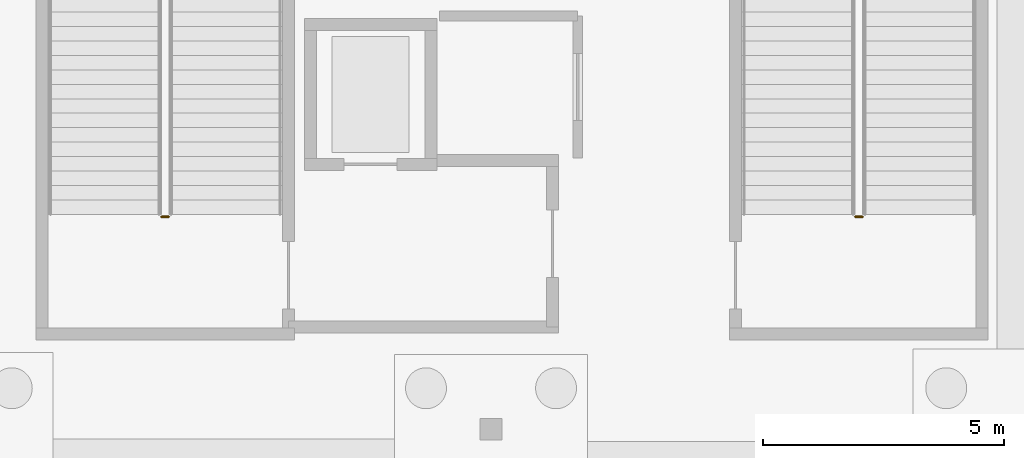
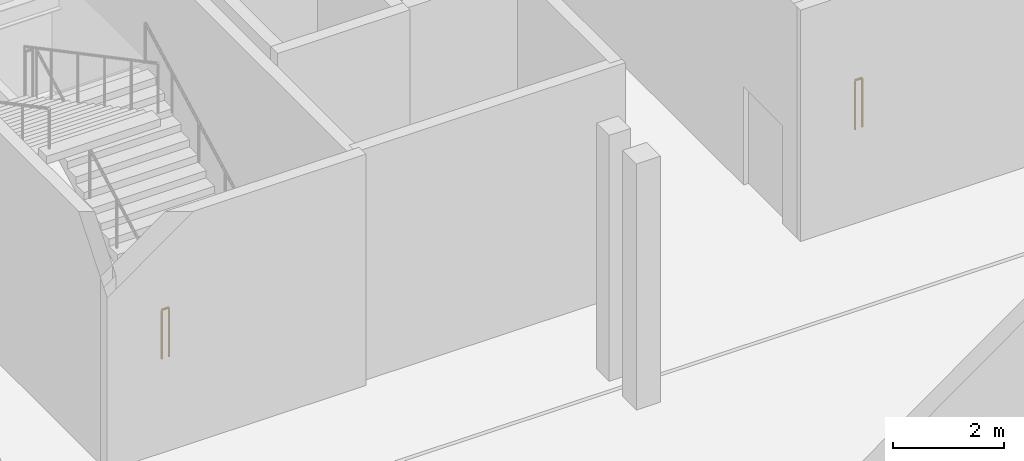
# One storey, part 57 of 89: 2 railings.
"""IFC4 building model written with IfcOpenShell, lengths in metres."""

from ifc_helpers import new_model, si_unit, direction, frame, origin, origin_2d, place, context, subcontext, project, spatial, circle, extrude, material, type_object, element, save


model = new_model("IFC4")

# Units and contexts
model_context = context("Model", 3, precision=1e-05, world=origin(), true_north=direction((0.0, 1.0)))
body_context = subcontext(model_context, "Body", "Model", "MODEL_VIEW")
ifc_project = project(units=[si_unit("LENGTHUNIT", "METRE"), si_unit("AREAUNIT", "SQUARE_METRE"), si_unit("VOLUMEUNIT", "CUBIC_METRE"), si_unit("PLANEANGLEUNIT", "RADIAN"), si_unit("MASSUNIT", "GRAM", prefix="KILO")], contexts=[model_context])

# Site, building, storey
site_placement = place(None, origin())
site = spatial("IfcSite", under=ifc_project, at=site_placement, CompositionType="ELEMENT")
building_placement = place(site_placement, origin())
building = spatial("IfcBuilding", under=site, at=building_placement, Name="Koshinbarg Plaza Stadium", CompositionType="ELEMENT")
storey_placement = place(building_placement, origin())
storey = spatial("IfcBuildingStorey", under=building, at=storey_placement, Name="L00", CompositionType="ELEMENT", Elevation=0.0)

# Railings
ifc_material = material(Name="Galvanized painted steel guardrail", Category="steel")
railing_type = type_object("IfcRailingType", Name="RL-GUARD-1100", PredefinedType="GUARDRAIL", material=ifc_material)
railing_1_placement = place(storey_placement, frame((28.7099609375, 29.909912109375, 0.0)))
element("IfcRailing", 1, at=railing_1_placement, inside=storey, type_object=railing_type, Name="L00 C01 stair guard 4", PredefinedType="GUARDRAIL", context=body_context, shape_type="SweptSolid", body=[
    extrude(circle(Radius=0.02392578125, at=origin_2d()), frame((0.0, 0.0, 1.076171875), z_axis=(-1.0, 0.0, 0.0), x_axis=(0.0, -1.0, 0.0)), (0.0, 0.0, 1.0), 0.14990234375),
    extrude(circle(Radius=0.02099609375, at=origin_2d()), origin(), (0.0, 0.0, 1.0), 1.052001953125),
    extrude(circle(Radius=0.02099609375, at=origin_2d()), frame((-0.14990234375, 0.0, 0.0)), (0.0, 0.0, 1.0), 1.052001953125),
])
railing_2_placement = place(storey_placement, frame((43.110107421875, 29.909912109375, 0.0)))
element("IfcRailing", 2, at=railing_2_placement, inside=storey, type_object=railing_type, Name="L00 VX01 stair guard 4", PredefinedType="GUARDRAIL", context=body_context, shape_type="SweptSolid", body=[
    extrude(circle(Radius=0.02392578125, at=origin_2d()), frame((0.0, 0.0, 1.076171875), z_axis=(-1.0, 0.0, 0.0), x_axis=(0.0, -1.0, 0.0)), (0.0, 0.0, 1.0), 0.150146484375),
    extrude(circle(Radius=0.02099609375, at=origin_2d()), origin(), (0.0, 0.0, 1.0), 1.052001953125),
    extrude(circle(Radius=0.02099609375, at=origin_2d()), frame((-0.150146484375, 0.0, 0.0)), (0.0, 0.0, 1.0), 1.052001953125),
])

save(model, "model.ifc")
